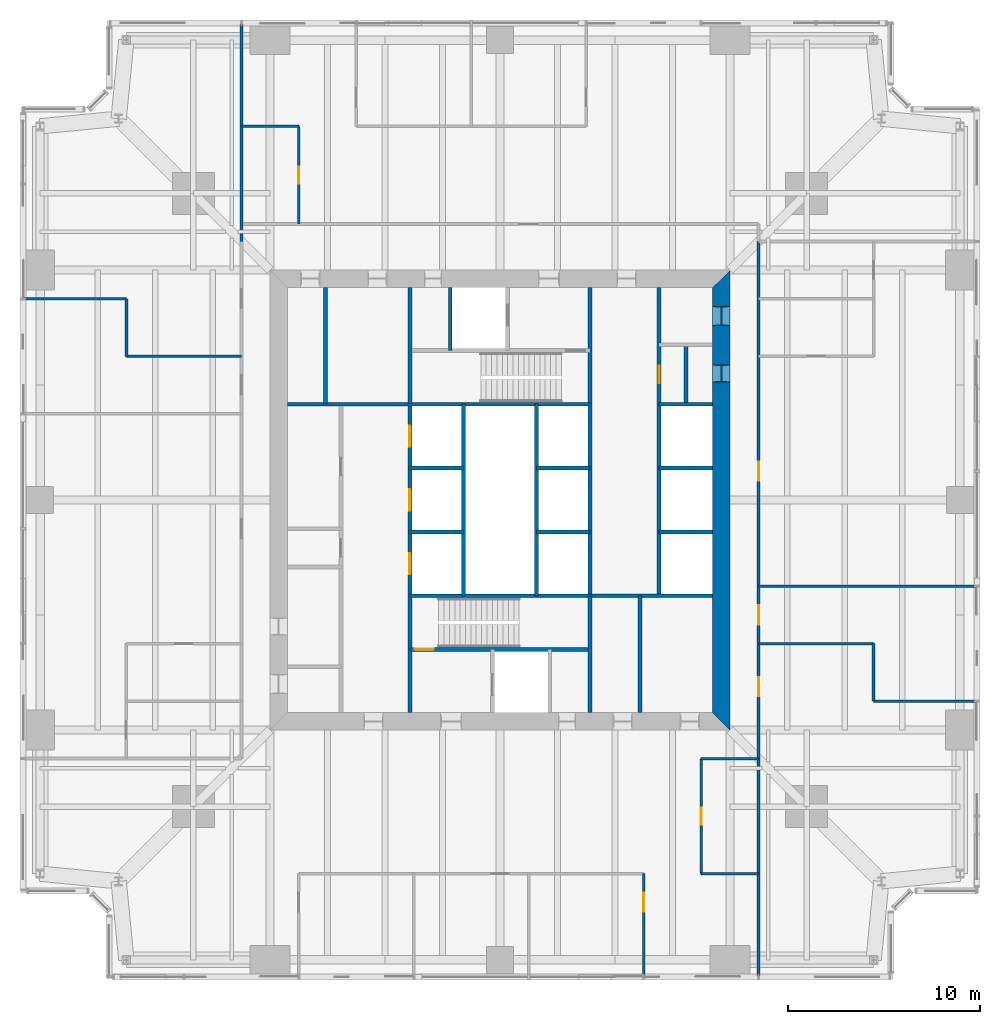
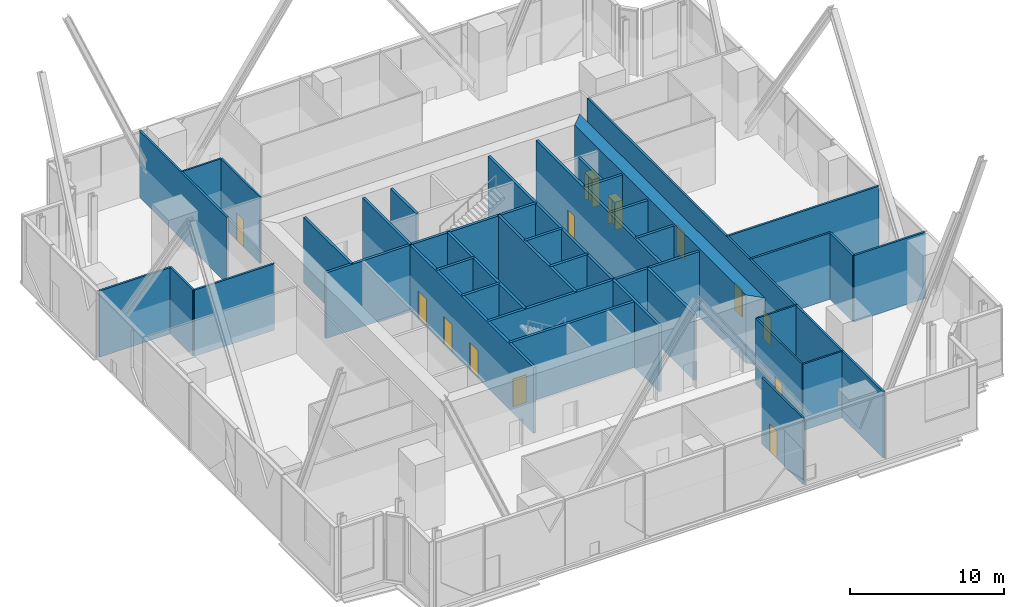
# One storey, part 10 of 13: 38 walls, 13 doors, 13 openings.
"""IFC4 building model written with IfcOpenShell, lengths in metres."""

from ifc_helpers import new_model, si_unit, direction, frame, frame_2d, origin, place, context, subcontext, project, spatial, polyline, rectangle, outline, extrude, material, layer, layer_set, type_object, element, fill, save


model = new_model("IFC4")

# Units and contexts
model_context = context("Model", 3, precision=1e-05, world=origin(), true_north=direction((0.0, 1.0)))
body_context = subcontext(model_context, "Body", "Model", "MODEL_VIEW")
ifc_project = project(units=[si_unit("LENGTHUNIT", "METRE"), si_unit("AREAUNIT", "SQUARE_METRE"), si_unit("VOLUMEUNIT", "CUBIC_METRE"), si_unit("PLANEANGLEUNIT", "RADIAN"), si_unit("MASSUNIT", "GRAM", prefix="KILO")], contexts=[model_context])

# Site, building, storey
site_placement = place(None, origin())
site = spatial("IfcSite", under=ifc_project, at=site_placement, CompositionType="ELEMENT")
building_placement = place(site_placement, origin())
building = spatial("IfcBuilding", under=site, at=building_placement, Name="Fenwick Lantern Interchange", CompositionType="ELEMENT")
storey_placement = place(building_placement, frame((0.0, 0.0, 97.0)))
storey = spatial("IfcBuildingStorey", under=building, at=storey_placement, Name="L22", CompositionType="ELEMENT", Elevation=97.0)

# Walls
ifc_material_1 = material(Name="Concrete masonry ASTM C90 Grade N", Category="masonry")
ifc_layer_1 = layer(ifc_material_1, 0.199951171875)
ifc_layer_set_1 = layer_set([ifc_layer_1], Name="Concrete masonry ASTM C90 Grade N")
wall_type_1 = type_object("IfcWallType", Name="CORE PARTITION 200", PredefinedType="PARTITIONING", material=ifc_layer_set_1)
for number, where, z_axis, x_axis, name in (
    (1, (20.300048828125, 23.333251953125, 0.0), (0.0, 0.0, 1.0), (1.0, 0.0, 0.0), "L22/W/CORES/e1"),
    (2, (20.300048828125, 26.666748046875, 0.0), (0.0, 0.0, 1.0), (1.0, 0.0, 0.0), "L22/W/CORES/e2"),
):
    element("IfcWall", number, at=place(storey_placement, frame(where, z_axis=z_axis, x_axis=x_axis)), inside=storey, type_object=wall_type_1, Name=name, PredefinedType="PARTITIONING", context=body_context, shape_type="SweptSolid", body=[
        extrude(rectangle(XDim=2.800048828125, YDim=0.199951171875, at=frame_2d((1.39990234375, 0.0))), origin(), (0.0, 0.0, 1.0), 5.199951171875),
    ])
wall_1_placement = place(storey_placement, frame((23.10009765625, 20.0, 0.0), z_axis=(0.0, 0.0, 1.0), x_axis=(0.0, 1.0, 0.0)))
element("IfcWall", 3, at=wall_1_placement, inside=storey, type_object=wall_type_1, Name="L22/W/CORES/e3", PredefinedType="PARTITIONING", context=body_context, shape_type="SweptSolid", body=[
    extrude(rectangle(XDim=10.0, YDim=0.199951171875, at=frame_2d((5.0, 0.0))), origin(), (0.0, 0.0, 1.0), 5.199951171875),
])
wall_2_placement = place(storey_placement, frame((32.300048828125, 13.89990234375, 0.0), z_axis=(0.0, 0.0, 1.0), x_axis=(0.0, 1.0, 0.0)))
element("IfcWall", 4, at=wall_2_placement, inside=storey, type_object=wall_type_1, Name="L22/W/CORES/i2", PredefinedType="PARTITIONING", context=body_context, shape_type="SweptSolid", body=[
    extrude(rectangle(XDim=6.10009765625, YDim=0.199951171875, at=frame_2d((3.050048828125, 0.0))), origin(), (0.0, 0.0, 1.0), 5.199951171875),
])

# Wall, opening, door
wall_3_placement = place(storey_placement, frame((33.300048828125, 36.10009765625, 0.0), z_axis=(0.0, 0.0, 1.0), x_axis=(0.0, -1.0, 0.0)))
wall_3 = element("IfcWall", 5, at=wall_3_placement, inside=storey, type_object=wall_type_1, Name="L22/W/COREN/a", PredefinedType="PARTITIONING", context=body_context, shape_type="SweptSolid", body=[
    extrude(rectangle(XDim=16.10009765625, YDim=0.199951171875, at=frame_2d((8.050048828125, 0.0))), origin(), (0.0, 0.0, 1.0), 5.199951171875),
])
opening_1_placement = place(wall_3_placement, frame((4.10009765625, 0.0, 0.0)))
opening_1 = element("IfcOpeningElement", 6, at=opening_1_placement, cuts=wall_3, Name="Opening L22-D018", PredefinedType="OPENING", context=body_context, shape_type="SweptSolid", body=[
    extrude(rectangle(XDim=0.89990234375, YDim=2.199951171875, at=frame_2d((0.449951171875, 1.10009765625))), frame((0.0, 0.10986328125, 0.0), z_axis=(0.0, -1.0, 0.0), x_axis=(1.0, 0.0, 0.0)), (0.0, 0.0, 1.0), 0.219970703125),
])
ifc_material_2 = material(Name="Steel door and frame", Category="steel")
door_type_1 = type_object("IfcDoorType", Name="SERVICE DOOR 900 X 2200", OperationType="SINGLE_SWING_LEFT", PredefinedType="DOOR", material=ifc_material_2)
door_1_placement = place(opening_1_placement, origin())
door_1 = element("IfcDoor", 7, at=door_1_placement, inside=storey, type_object=door_type_1, Name="Service door", OperationType="SINGLE_SWING_LEFT", OverallHeight=2.199951171875, OverallWidth=0.89990234375, PredefinedType="DOOR", context=body_context, shape_type="SweptSolid", body=[
    extrude(rectangle(XDim=0.89990234375, YDim=2.199951171875, at=frame_2d((0.449951171875, 1.10009765625))), frame((0.0, 0.02490234375, 0.0), z_axis=(0.0, -1.0, 0.0), x_axis=(1.0, 0.0, 0.0)), (0.0, 0.0, 1.0), 0.050048828125),
])
fill(opening_1, door_1)

# Walls
for number, where, z_axis, x_axis, name in (
    (8, (36.10009765625, 30.0, 0.0), (0.0, 0.0, 1.0), (-1.0, 0.0, 0.0), "L22/W/COREN/c2"),
    (9, (36.10009765625, 26.666748046875, 0.0), (0.0, 0.0, 1.0), (-1.0, 0.0, 0.0), "L22/W/COREN/d1"),
    (10, (36.10009765625, 23.333251953125, 0.0), (0.0, 0.0, 1.0), (-1.0, 0.0, 0.0), "L22/W/COREN/d2"),
    (11, (29.699951171875, 26.666748046875, 0.0), (0.0, 0.0, 1.0), (-1.0, 0.0, 0.0), "L22/W/COREN/e1"),
    (12, (29.699951171875, 23.333251953125, 0.0), (0.0, 0.0, 1.0), (-1.0, 0.0, 0.0), "L22/W/COREN/e2"),
):
    element("IfcWall", number, at=place(storey_placement, frame(where, z_axis=z_axis, x_axis=x_axis)), inside=storey, type_object=wall_type_1, Name=name, PredefinedType="PARTITIONING", context=body_context, shape_type="SweptSolid", body=[
        extrude(rectangle(XDim=2.800048828125, YDim=0.199951171875, at=frame_2d((1.39990234375, 0.0))), origin(), (0.0, 0.0, 1.0), 5.199951171875),
    ])
wall_4_placement = place(storey_placement, frame((26.89990234375, 30.0, 0.0), z_axis=(0.0, 0.0, 1.0), x_axis=(0.0, -1.0, 0.0)))
element("IfcWall", 13, at=wall_4_placement, inside=storey, type_object=wall_type_1, Name="L22/W/COREN/e3", PredefinedType="PARTITIONING", context=body_context, shape_type="SweptSolid", body=[
    extrude(rectangle(XDim=10.0, YDim=0.199951171875, at=frame_2d((5.0, 0.0))), origin(), (0.0, 0.0, 1.0), 5.199951171875),
])
wall_5_placement = place(storey_placement, frame((22.39990234375, 36.10009765625, 0.0), z_axis=(0.0, 0.0, 1.0), x_axis=(0.0, -1.0, 0.0)))
element("IfcWall", 14, at=wall_5_placement, inside=storey, type_object=wall_type_1, Name="L22/W/COREN/h2", PredefinedType="PARTITIONING", context=body_context, shape_type="SweptSolid", body=[
    extrude(rectangle(XDim=3.300048828125, YDim=0.199951171875, at=frame_2d((1.64990234375, 0.0))), origin(), (0.0, 0.0, 1.0), 5.199951171875),
])
wall_6_placement = place(storey_placement, frame((15.89990234375, 36.10009765625, 0.0), z_axis=(0.0, 0.0, 1.0), x_axis=(0.0, -1.0, 0.0)))
element("IfcWall", 15, at=wall_6_placement, inside=storey, type_object=wall_type_1, Name="L22/W/COREN/i2", PredefinedType="PARTITIONING", context=body_context, shape_type="SweptSolid", body=[
    extrude(rectangle(XDim=6.10009765625, YDim=0.199951171875, at=frame_2d((3.050048828125, 0.0))), origin(), (0.0, 0.0, 1.0), 5.199951171875),
])
wall_7_placement = place(storey_placement, frame((34.699951171875, 33.10009765625, 0.0), z_axis=(0.0, 0.0, 1.0), x_axis=(0.0, -1.0, 0.0)))
element("IfcWall", 16, at=wall_7_placement, inside=storey, type_object=wall_type_1, Name="L22/W/COREN/px", PredefinedType="PARTITIONING", context=body_context, shape_type="SweptSolid", body=[
    extrude(rectangle(XDim=3.10009765625, YDim=0.199951171875, at=frame_2d((1.550048828125, 0.0))), origin(), (0.0, 0.0, 1.0), 5.199951171875),
])

# Wall, openings, doors
ifc_material_3 = material(Name="Concrete f'c 70 MPa", Category="concrete")
ifc_layer_2 = layer(ifc_material_3, 0.89990234375)
ifc_layer_set_2 = layer_set([ifc_layer_2], Name="CORE WALL 900")
wall_type_2 = type_object("IfcWallType", Name="CORE WALL 900", PredefinedType="SHEAR", material=ifc_layer_set_2)
wall_8_placement = place(storey_placement, frame((36.550048828125, 13.89990234375, 0.0), z_axis=(0.0, 0.0, 1.0), x_axis=(0.0, 1.0, 0.0)))
wall_8 = element("IfcWall", 17, at=wall_8_placement, inside=storey, type_object=wall_type_2, Name="L22/CORE/E", PredefinedType="SHEAR", context=body_context, shape_type="SweptSolid", body=[
    extrude(outline(polyline([(-0.89990234375, -0.449951171875), (23.10009765625, -0.449951171875), (22.199951171875, 0.449951171875), (0.0, 0.449951171875), (-0.89990234375, -0.449951171875)])), origin(), (0.0, 0.0, 1.0), 5.39990234375),
])
opening_2_placement = place(wall_8_placement, frame((20.199951171875, 0.0, 0.0)))
opening_2 = element("IfcOpeningElement", 18, at=opening_2_placement, cuts=wall_8, Name="Opening L22-D017", PredefinedType="OPENING", context=body_context, shape_type="SweptSolid", body=[
    extrude(rectangle(XDim=1.0, YDim=2.199951171875, at=frame_2d((0.5, 1.10009765625))), frame((0.0, 0.4599609375, 0.0), z_axis=(0.0, -1.0, 0.0), x_axis=(1.0, 0.0, 0.0)), (0.0, 0.0, 1.0), 0.919921875),
])
opening_3_placement = place(wall_8_placement, frame((17.25, 0.0, 0.0)))
opening_3 = element("IfcOpeningElement", 19, at=opening_3_placement, cuts=wall_8, Name="Opening L22-D019", PredefinedType="OPENING", context=body_context, shape_type="SweptSolid", body=[
    extrude(rectangle(XDim=0.89990234375, YDim=2.199951171875, at=frame_2d((0.449951171875, 1.10009765625))), frame((0.0, 0.4599609375, 0.0), z_axis=(0.0, -1.0, 0.0), x_axis=(1.0, 0.0, 0.0)), (0.0, 0.0, 1.0), 0.919921875),
])
door_2_placement = place(opening_3_placement, origin())
door_2 = element("IfcDoor", 20, at=door_2_placement, inside=storey, type_object=door_type_1, Name="Service door", OperationType="SINGLE_SWING_RIGHT", OverallHeight=2.199951171875, OverallWidth=0.89990234375, PredefinedType="DOOR", context=body_context, shape_type="SweptSolid", body=[
    extrude(rectangle(XDim=0.89990234375, YDim=2.199951171875, at=frame_2d((0.449951171875, 1.10009765625))), frame((0.0, 0.02490234375, 0.0), z_axis=(0.0, -1.0, 0.0), x_axis=(1.0, 0.0, 0.0)), (0.0, 0.0, 1.0), 0.050048828125),
    extrude(outline(polyline([(0.0, 0.0), (0.0400390625, 0.0), (0.0400390625, 2.159912109375), (0.85986328125, 2.159912109375), (0.85986328125, 0.0), (0.89990234375, 0.0), (0.89990234375, 2.199951171875), (0.0, 2.199951171875), (0.0, 0.0)])), frame((0.0, 0.300048828125, 0.0), z_axis=(0.0, -1.0, 0.0), x_axis=(1.0, 0.0, 0.0)), (0.0, 0.0, 1.0), 0.60009765625),
])
fill(opening_3, door_2)
ifc_material_4 = material(Name="Hardwood door and steel frame", Category="steel")
door_type_2 = type_object("IfcDoorType", Name="WC DOOR 1000 X 2200", OperationType="SINGLE_SWING_LEFT", PredefinedType="DOOR", material=ifc_material_4)
door_3_placement = place(opening_2_placement, origin())
door_3 = element("IfcDoor", 21, at=door_3_placement, inside=storey, type_object=door_type_2, Name="Wc door", OperationType="SINGLE_SWING_LEFT", OverallHeight=2.199951171875, OverallWidth=1.0, PredefinedType="DOOR", context=body_context, shape_type="SweptSolid", body=[
    extrude(rectangle(XDim=1.0, YDim=2.199951171875, at=frame_2d((0.5, 1.10009765625))), frame((0.0, 0.02490234375, 0.0), z_axis=(0.0, -1.0, 0.0), x_axis=(1.0, 0.0, 0.0)), (0.0, 0.0, 1.0), 0.050048828125),
    extrude(outline(polyline([(0.0, 0.0), (0.0400390625, 0.0), (0.0400390625, 2.159912109375), (0.9599609375, 2.159912109375), (0.9599609375, 0.0), (1.0, 0.0), (1.0, 2.199951171875), (0.0, 2.199951171875), (0.0, 0.0)])), frame((0.0, 0.300048828125, 0.0), z_axis=(0.0, -1.0, 0.0), x_axis=(1.0, 0.0, 0.0)), (0.0, 0.0, 1.0), 0.60009765625),
])
fill(opening_2, door_3)

ifc_material_5 = material(Name="Gypsum board on steel studs, 1 hour", Category="steel")
ifc_layer_3 = layer(ifc_material_5, 0.14990234375)
ifc_layer_set_3 = layer_set([ifc_layer_3], Name="CORRIDOR WALL 150")
wall_type_3 = type_object("IfcWallType", Name="CORRIDOR WALL 150", PredefinedType="PARTITIONING", material=ifc_layer_set_3)
wall_9_placement = place(storey_placement, frame((38.5, 11.5, 0.0), z_axis=(0.0, 0.0, 1.0), x_axis=(0.0, 1.0, 0.0)))
wall_9 = element("IfcWall", 22, at=wall_9_placement, inside=storey, type_object=wall_type_3, Name="L22/W/OFF/E/CW", PredefinedType="PARTITIONING", context=body_context, shape_type="SweptSolid", body=[
    extrude(rectangle(XDim=27.0, YDim=0.14990234375, at=frame_2d((13.5, 0.0))), origin(), (0.0, 0.0, 1.0), 5.25),
])
opening_4_placement = place(wall_9_placement, frame((3.25, 0.0, 0.0)))
opening_4 = element("IfcOpeningElement", 23, at=opening_4_placement, cuts=wall_9, Name="Opening L22-D024", PredefinedType="OPENING", context=body_context, shape_type="SweptSolid", body=[
    extrude(rectangle(XDim=1.0, YDim=2.199951171875, at=frame_2d((0.5, 1.10009765625))), frame((0.0, 0.0849609375, 0.0), z_axis=(0.0, -1.0, 0.0), x_axis=(1.0, 0.0, 0.0)), (0.0, 0.0, 1.0), 0.169921875),
])
opening_5_placement = place(wall_9_placement, frame((7.0, 0.0, 0.0)))
opening_5 = element("IfcOpeningElement", 24, at=opening_5_placement, cuts=wall_9, Name="Opening L22-D025", PredefinedType="OPENING", context=body_context, shape_type="SweptSolid", body=[
    extrude(rectangle(XDim=1.0, YDim=2.199951171875, at=frame_2d((0.5, 1.10009765625))), frame((0.0, 0.0849609375, 0.0), z_axis=(0.0, -1.0, 0.0), x_axis=(1.0, 0.0, 0.0)), (0.0, 0.0, 1.0), 0.169921875),
])
opening_6_placement = place(wall_9_placement, frame((14.5, 0.0, 0.0)))
opening_6 = element("IfcOpeningElement", 25, at=opening_6_placement, cuts=wall_9, Name="Opening L22-D026", PredefinedType="OPENING", context=body_context, shape_type="SweptSolid", body=[
    extrude(rectangle(XDim=1.0, YDim=2.199951171875, at=frame_2d((0.5, 1.10009765625))), frame((0.0, 0.0849609375, 0.0), z_axis=(0.0, -1.0, 0.0), x_axis=(1.0, 0.0, 0.0)), (0.0, 0.0, 1.0), 0.169921875),
])
door_type_3 = type_object("IfcDoorType", Name="SUITE ENTRANCE DOOR 1000 X 2200", OperationType="SINGLE_SWING_LEFT", PredefinedType="DOOR", material=ifc_material_2)
door_4_placement = place(opening_4_placement, frame((1.0, 0.0, 0.0), z_axis=(0.0, 0.0, 1.0), x_axis=(-1.0, 0.0, 0.0)))
door_4 = element("IfcDoor", 26, at=door_4_placement, inside=storey, type_object=door_type_3, Name="Suite entrance door", OperationType="SINGLE_SWING_LEFT", OverallHeight=2.199951171875, OverallWidth=1.0, PredefinedType="DOOR", context=body_context, shape_type="SweptSolid", body=[
    extrude(rectangle(XDim=1.0, YDim=2.199951171875, at=frame_2d((0.5, 1.10009765625))), frame((0.0, 0.02490234375, 0.0), z_axis=(0.0, -1.0, 0.0), x_axis=(1.0, 0.0, 0.0)), (0.0, 0.0, 1.0), 0.050048828125),
])
fill(opening_4, door_4)
door_5_placement = place(opening_5_placement, frame((1.0, 0.0, 0.0), z_axis=(0.0, 0.0, 1.0), x_axis=(-1.0, 0.0, 0.0)))
door_5 = element("IfcDoor", 27, at=door_5_placement, inside=storey, type_object=door_type_3, Name="Suite entrance door", OperationType="SINGLE_SWING_RIGHT", OverallHeight=2.199951171875, OverallWidth=1.0, PredefinedType="DOOR", context=body_context, shape_type="SweptSolid", body=[
    extrude(rectangle(XDim=1.0, YDim=2.199951171875, at=frame_2d((0.5, 1.10009765625))), frame((0.0, 0.02490234375, 0.0), z_axis=(0.0, -1.0, 0.0), x_axis=(1.0, 0.0, 0.0)), (0.0, 0.0, 1.0), 0.050048828125),
])
fill(opening_5, door_5)
door_6_placement = place(opening_6_placement, frame((1.0, 0.0, 0.0), z_axis=(0.0, 0.0, 1.0), x_axis=(-1.0, 0.0, 0.0)))
door_6 = element("IfcDoor", 28, at=door_6_placement, inside=storey, type_object=door_type_3, Name="Suite entrance door", OperationType="SINGLE_SWING_RIGHT", OverallHeight=2.199951171875, OverallWidth=1.0, PredefinedType="DOOR", context=body_context, shape_type="SweptSolid", body=[
    extrude(rectangle(XDim=1.0, YDim=2.199951171875, at=frame_2d((0.5, 1.10009765625))), frame((0.0, 0.02490234375, 0.0), z_axis=(0.0, -1.0, 0.0), x_axis=(1.0, 0.0, 0.0)), (0.0, 0.0, 1.0), 0.050048828125),
])
fill(opening_6, door_6)

# Wall, opening, door
ifc_material_6 = material(Name="Gypsum board on steel studs, acoustic", Category="steel")
ifc_layer_4 = layer(ifc_material_6, 0.125)
ifc_layer_set_4 = layer_set([ifc_layer_4], Name="OFFICE PARTITION 125")
wall_type_4 = type_object("IfcWallType", Name="OFFICE PARTITION 125", PredefinedType="PARTITIONING", material=ifc_layer_set_4)
wall_10_placement = place(storey_placement, frame((32.5, 0.14990234375, 0.0), z_axis=(0.0, 0.0, 1.0), x_axis=(0.0, 1.0, 0.0)))
wall_10 = element("IfcWall", 29, at=wall_10_placement, inside=storey, type_object=wall_type_4, Name="L22/W/OFF/S/X325-1", PredefinedType="PARTITIONING", context=body_context, shape_type="SweptSolid", body=[
    extrude(rectangle(XDim=5.35009765625, YDim=0.125, at=frame_2d((2.675048828125, 0.0))), origin(), (0.0, 0.0, 1.0), 5.25),
])
opening_7_placement = place(wall_10_placement, frame((3.35009765625, 0.0, 0.0)))
opening_7 = element("IfcOpeningElement", 30, at=opening_7_placement, cuts=wall_10, Name="Opening L22-D022", PredefinedType="OPENING", context=body_context, shape_type="SweptSolid", body=[
    extrude(rectangle(XDim=1.0, YDim=2.199951171875, at=frame_2d((0.5, 1.10009765625))), frame((0.0, 0.072509765625, 0.0), z_axis=(0.0, -1.0, 0.0), x_axis=(1.0, 0.0, 0.0)), (0.0, 0.0, 1.0), 0.14501953125),
])
door_type_4 = type_object("IfcDoorType", Name="MEETING ROOM DOOR 1000 X 2200", OperationType="SINGLE_SWING_LEFT", PredefinedType="DOOR", material=ifc_material_4)
door_7_placement = place(opening_7_placement, origin())
door_7 = element("IfcDoor", 31, at=door_7_placement, inside=storey, type_object=door_type_4, Name="Meeting room door", OperationType="SINGLE_SWING_RIGHT", OverallHeight=2.199951171875, OverallWidth=1.0, PredefinedType="DOOR", context=body_context, shape_type="SweptSolid", body=[
    extrude(rectangle(XDim=1.0, YDim=2.199951171875, at=frame_2d((0.5, 1.10009765625))), frame((0.0, 0.02490234375, 0.0), z_axis=(0.0, -1.0, 0.0), x_axis=(1.0, 0.0, 0.0)), (0.0, 0.0, 1.0), 0.050048828125),
])
fill(opening_7, door_7)

wall_11_placement = place(storey_placement, frame((35.5, 5.5, 0.0), z_axis=(0.0, 0.0, 1.0), x_axis=(0.0, 1.0, 0.0)))
wall_11 = element("IfcWall", 32, at=wall_11_placement, inside=storey, type_object=wall_type_4, Name="L22/W/OFF/S/X355-1", PredefinedType="PARTITIONING", context=body_context, shape_type="SweptSolid", body=[
    extrude(rectangle(XDim=6.0, YDim=0.125, at=frame_2d((3.0, 0.0))), origin(), (0.0, 0.0, 1.0), 5.25),
])
opening_8_placement = place(wall_11_placement, frame((2.550048828125, 0.0, 0.0)))
opening_8 = element("IfcOpeningElement", 33, at=opening_8_placement, cuts=wall_11, Name="Opening L22-D023", PredefinedType="OPENING", context=body_context, shape_type="SweptSolid", body=[
    extrude(rectangle(XDim=0.89990234375, YDim=2.199951171875, at=frame_2d((0.449951171875, 1.10009765625))), frame((0.0, 0.072509765625, 0.0), z_axis=(0.0, -1.0, 0.0), x_axis=(1.0, 0.0, 0.0)), (0.0, 0.0, 1.0), 0.14501953125),
])
door_type_5 = type_object("IfcDoorType", Name="OFFICE DOOR 900 X 2200", OperationType="SINGLE_SWING_LEFT", PredefinedType="DOOR", material=ifc_material_4)
door_8_placement = place(opening_8_placement, frame((0.89990234375, 0.0, 0.0), z_axis=(0.0, 0.0, 1.0), x_axis=(-1.0, 0.0, 0.0)))
door_8 = element("IfcDoor", 34, at=door_8_placement, inside=storey, type_object=door_type_5, Name="Office door", OperationType="SINGLE_SWING_RIGHT", OverallHeight=2.199951171875, OverallWidth=0.89990234375, PredefinedType="DOOR", context=body_context, shape_type="SweptSolid", body=[
    extrude(rectangle(XDim=0.89990234375, YDim=2.199951171875, at=frame_2d((0.449951171875, 1.10009765625))), frame((0.0, 0.02490234375, 0.0), z_axis=(0.0, -1.0, 0.0), x_axis=(1.0, 0.0, 0.0)), (0.0, 0.0, 1.0), 0.050048828125),
])
fill(opening_8, door_8)

# Walls
for number, where, z_axis, x_axis, name in (
    (35, (35.5, 5.5, 0.0), (0.0, 0.0, 1.0), (1.0, 0.0, 0.0), "L22/W/OFF/S/Y55-2"),
    (36, (35.5, 11.5, 0.0), (0.0, 0.0, 1.0), (1.0, 0.0, 0.0), "L22/W/OFF/S/CWS1"),
):
    element("IfcWall", number, at=place(storey_placement, frame(where, z_axis=z_axis, x_axis=x_axis)), inside=storey, type_object=wall_type_4, Name=name, PredefinedType="PARTITIONING", context=body_context, shape_type="SweptSolid", body=[
        extrude(rectangle(XDim=3.0, YDim=0.125, at=frame_2d((1.5, 0.0))), origin(), (0.0, 0.0, 1.0), 5.25),
    ])

# Wall, opening, door
wall_12_placement = place(storey_placement, frame((14.5, 44.5, 0.0), z_axis=(0.0, 0.0, 1.0), x_axis=(0.0, -1.0, 0.0)))
wall_12 = element("IfcWall", 37, at=wall_12_placement, inside=storey, type_object=wall_type_4, Name="L22/W/OFF/N/X355-1", PredefinedType="PARTITIONING", context=body_context, shape_type="SweptSolid", body=[
    extrude(rectangle(XDim=5.10009765625, YDim=0.125, at=frame_2d((2.550048828125, 0.0))), origin(), (0.0, 0.0, 1.0), 5.25),
])
opening_9_placement = place(wall_12_placement, frame((2.10009765625, 0.0, 0.0)))
opening_9 = element("IfcOpeningElement", 38, at=opening_9_placement, cuts=wall_12, Name="Opening L22-D032", PredefinedType="OPENING", context=body_context, shape_type="SweptSolid", body=[
    extrude(rectangle(XDim=0.89990234375, YDim=2.199951171875, at=frame_2d((0.449951171875, 1.10009765625))), frame((0.0, 0.072509765625, 0.0), z_axis=(0.0, -1.0, 0.0), x_axis=(1.0, 0.0, 0.0)), (0.0, 0.0, 1.0), 0.14501953125),
])
door_9_placement = place(opening_9_placement, frame((0.89990234375, 0.0, 0.0), z_axis=(0.0, 0.0, 1.0), x_axis=(-1.0, 0.0, 0.0)))
door_9 = element("IfcDoor", 39, at=door_9_placement, inside=storey, type_object=door_type_5, Name="Office door", OperationType="SINGLE_SWING_RIGHT", OverallHeight=2.199951171875, OverallWidth=0.89990234375, PredefinedType="DOOR", context=body_context, shape_type="SweptSolid", body=[
    extrude(rectangle(XDim=0.89990234375, YDim=2.199951171875, at=frame_2d((0.449951171875, 1.10009765625))), frame((0.0, 0.02490234375, 0.0), z_axis=(0.0, -1.0, 0.0), x_axis=(1.0, 0.0, 0.0)), (0.0, 0.0, 1.0), 0.050048828125),
])
fill(opening_9, door_9)

# Wall
wall_13_placement = place(storey_placement, frame((14.5, 44.5, 0.0), z_axis=(0.0, 0.0, 1.0), x_axis=(-1.0, 0.0, 0.0)))
element("IfcWall", 40, at=wall_13_placement, inside=storey, type_object=wall_type_4, Name="L22/W/OFF/N/Y55-2", PredefinedType="PARTITIONING", context=body_context, shape_type="SweptSolid", body=[
    extrude(rectangle(XDim=3.0, YDim=0.125, at=frame_2d((1.5, 0.0))), origin(), (0.0, 0.0, 1.0), 5.25),
])

# Wall, openings, doors
ifc_material_7 = material(Name="Concrete f'c 45 MPa", Category="concrete")
ifc_layer_5 = layer(ifc_material_7, 0.199951171875)
ifc_layer_set_5 = layer_set([ifc_layer_5], Name="STAIR CORE WALL 200")
wall_type_5 = type_object("IfcWallType", Name="STAIR CORE WALL 200", PredefinedType="SOLIDWALL", material=ifc_layer_set_5)
wall_14_placement = place(storey_placement, frame((20.300048828125, 13.89990234375, 0.0), z_axis=(0.0, 0.0, 1.0), x_axis=(0.0, 1.0, 0.0)))
wall_14 = element("IfcWall", 41, at=wall_14_placement, inside=storey, type_object=wall_type_5, Name="L22/W/CORES/b", PredefinedType="SOLIDWALL", context=body_context, shape_type="SweptSolid", body=[
    extrude(rectangle(XDim=16.10009765625, YDim=0.199951171875, at=frame_2d((8.050048828125, 0.0))), origin(), (0.0, 0.0, 1.0), 5.199951171875),
])
opening_10_placement = place(wall_14_placement, frame((7.216552734375, 0.0, 0.0)))
opening_10 = element("IfcOpeningElement", 42, at=opening_10_placement, cuts=wall_14, Name="Opening LD-W2-1", PredefinedType="OPENING", context=body_context, shape_type="SweptSolid", body=[
    extrude(rectangle(XDim=1.10009765625, YDim=2.199951171875, at=frame_2d((0.550048828125, 1.10009765625))), frame((0.0, 0.10986328125, 0.0), z_axis=(0.0, -1.0, 0.0), x_axis=(1.0, 0.0, 0.0)), (0.0, 0.0, 1.0), 0.219970703125),
])
opening_11_placement = place(wall_14_placement, frame((10.550048828125, 0.0, 0.0)))
opening_11 = element("IfcOpeningElement", 43, at=opening_11_placement, cuts=wall_14, Name="Opening LD-W2-2", PredefinedType="OPENING", context=body_context, shape_type="SweptSolid", body=[
    extrude(rectangle(XDim=1.10009765625, YDim=2.199951171875, at=frame_2d((0.550048828125, 1.10009765625))), frame((0.0, 0.10986328125, 0.0), z_axis=(0.0, -1.0, 0.0), x_axis=(1.0, 0.0, 0.0)), (0.0, 0.0, 1.0), 0.219970703125),
])
opening_12_placement = place(wall_14_placement, frame((13.88330078125, 0.0, 0.0)))
opening_12 = element("IfcOpeningElement", 44, at=opening_12_placement, cuts=wall_14, Name="Opening LD-W2-3", PredefinedType="OPENING", context=body_context, shape_type="SweptSolid", body=[
    extrude(rectangle(XDim=1.10009765625, YDim=2.199951171875, at=frame_2d((0.550048828125, 1.10009765625))), frame((0.0, 0.10986328125, 0.0), z_axis=(0.0, -1.0, 0.0), x_axis=(1.0, 0.0, 0.0)), (0.0, 0.0, 1.0), 0.219970703125),
])
door_type_6 = type_object("IfcDoorType", Name="LIFT LANDING DOOR 1100 X 2200", OperationType="DOUBLE_DOOR_SLIDING", PredefinedType="DOOR", material=ifc_material_2)
door_10_placement = place(opening_10_placement, origin())
door_10 = element("IfcDoor", 45, at=door_10_placement, inside=storey, type_object=door_type_6, Name="Lift landing door W2-1", OperationType="DOUBLE_DOOR_SLIDING", OverallHeight=2.199951171875, OverallWidth=1.10009765625, PredefinedType="DOOR", context=body_context, shape_type="SweptSolid", body=[
    extrude(rectangle(XDim=1.10009765625, YDim=2.199951171875, at=frame_2d((0.550048828125, 1.10009765625))), frame((0.0, 0.02490234375, 0.0), z_axis=(0.0, -1.0, 0.0), x_axis=(1.0, 0.0, 0.0)), (0.0, 0.0, 1.0), 0.050048828125),
])
fill(opening_10, door_10)
door_11_placement = place(opening_11_placement, origin())
door_11 = element("IfcDoor", 46, at=door_11_placement, inside=storey, type_object=door_type_6, Name="Lift landing door W2-2", OperationType="DOUBLE_DOOR_SLIDING", OverallHeight=2.199951171875, OverallWidth=1.10009765625, PredefinedType="DOOR", context=body_context, shape_type="SweptSolid", body=[
    extrude(rectangle(XDim=1.10009765625, YDim=2.199951171875, at=frame_2d((0.550048828125, 1.10009765625))), frame((0.0, 0.02490234375, 0.0), z_axis=(0.0, -1.0, 0.0), x_axis=(1.0, 0.0, 0.0)), (0.0, 0.0, 1.0), 0.050048828125),
])
fill(opening_11, door_11)
door_12_placement = place(opening_12_placement, origin())
door_12 = element("IfcDoor", 47, at=door_12_placement, inside=storey, type_object=door_type_6, Name="Lift landing door W2-3", OperationType="DOUBLE_DOOR_SLIDING", OverallHeight=2.199951171875, OverallWidth=1.10009765625, PredefinedType="DOOR", context=body_context, shape_type="SweptSolid", body=[
    extrude(rectangle(XDim=1.10009765625, YDim=2.199951171875, at=frame_2d((0.550048828125, 1.10009765625))), frame((0.0, 0.02490234375, 0.0), z_axis=(0.0, -1.0, 0.0), x_axis=(1.0, 0.0, 0.0)), (0.0, 0.0, 1.0), 0.050048828125),
])
fill(opening_12, door_12)

# Wall, opening, door
wall_15_placement = place(storey_placement, frame((20.300048828125, 17.199951171875, 0.0), z_axis=(0.0, 0.0, 1.0), x_axis=(1.0, 0.0, 0.0)))
wall_15 = element("IfcWall", 48, at=wall_15_placement, inside=storey, type_object=wall_type_5, Name="L22/W/CORES/g1", PredefinedType="SOLIDWALL", context=body_context, shape_type="SweptSolid", body=[
    extrude(rectangle(XDim=9.39990234375, YDim=0.199951171875, at=frame_2d((4.699951171875, 0.0))), origin(), (0.0, 0.0, 1.0), 5.199951171875),
])
opening_13_placement = place(wall_15_placement, frame((0.25, 0.0, 0.0)))
opening_13 = element("IfcOpeningElement", 49, at=opening_13_placement, cuts=wall_15, Name="Opening L22-D003", PredefinedType="OPENING", context=body_context, shape_type="SweptSolid", body=[
    extrude(rectangle(XDim=1.0, YDim=2.199951171875, at=frame_2d((0.5, 1.10009765625))), frame((0.0, 0.10986328125, 0.0), z_axis=(0.0, -1.0, 0.0), x_axis=(1.0, 0.0, 0.0)), (0.0, 0.0, 1.0), 0.219970703125),
])
door_type_7 = type_object("IfcDoorType", Name="STAIR DOOR 1000 X 2200", OperationType="SINGLE_SWING_LEFT", PredefinedType="DOOR", material=ifc_material_2)
door_13_placement = place(opening_13_placement, origin())
door_13 = element("IfcDoor", 50, at=door_13_placement, inside=storey, type_object=door_type_7, Name="Stair door", OperationType="SINGLE_SWING_LEFT", OverallHeight=2.199951171875, OverallWidth=1.0, PredefinedType="DOOR", context=body_context, shape_type="SweptSolid", body=[
    extrude(rectangle(XDim=1.0, YDim=2.199951171875, at=frame_2d((0.5, 1.10009765625))), frame((0.0, 0.02490234375, 0.0), z_axis=(0.0, -1.0, 0.0), x_axis=(1.0, 0.0, 0.0)), (0.0, 0.0, 1.0), 0.050048828125),
])
fill(opening_13, door_13)

# Walls
wall_16_placement = place(storey_placement, frame((20.300048828125, 20.0, 0.0), z_axis=(0.0, 0.0, 1.0), x_axis=(1.0, 0.0, 0.0)))
element("IfcWall", 51, at=wall_16_placement, inside=storey, type_object=wall_type_5, Name="L22/W/CORES/g2", PredefinedType="SOLIDWALL", context=body_context, shape_type="SweptSolid", body=[
    extrude(rectangle(XDim=15.800048828125, YDim=0.199951171875, at=frame_2d((7.89990234375, 0.0))), origin(), (0.0, 0.0, 1.0), 5.199951171875),
])
wall_17_placement = place(storey_placement, frame((29.699951171875, 13.89990234375, 0.0), z_axis=(0.0, 0.0, 1.0), x_axis=(0.0, 1.0, 0.0)))
element("IfcWall", 52, at=wall_17_placement, inside=storey, type_object=wall_type_5, Name="L22/W/CORES/i1", PredefinedType="SOLIDWALL", context=body_context, shape_type="SweptSolid", body=[
    extrude(rectangle(XDim=6.10009765625, YDim=0.199951171875, at=frame_2d((3.050048828125, 0.0))), origin(), (0.0, 0.0, 1.0), 5.199951171875),
])
wall_18_placement = place(storey_placement, frame((29.699951171875, 36.10009765625, 0.0), z_axis=(0.0, 0.0, 1.0), x_axis=(0.0, -1.0, 0.0)))
element("IfcWall", 53, at=wall_18_placement, inside=storey, type_object=wall_type_5, Name="L22/W/COREN/b", PredefinedType="SOLIDWALL", context=body_context, shape_type="SweptSolid", body=[
    extrude(rectangle(XDim=16.10009765625, YDim=0.199951171875, at=frame_2d((8.050048828125, 0.0))), origin(), (0.0, 0.0, 1.0), 5.199951171875),
])
wall_19_placement = place(storey_placement, frame((29.699951171875, 30.0, 0.0), z_axis=(0.0, 0.0, 1.0), x_axis=(-1.0, 0.0, 0.0)))
element("IfcWall", 54, at=wall_19_placement, inside=storey, type_object=wall_type_5, Name="L22/W/COREN/g2", PredefinedType="SOLIDWALL", context=body_context, shape_type="SweptSolid", body=[
    extrude(rectangle(XDim=15.800048828125, YDim=0.199951171875, at=frame_2d((7.89990234375, 0.0))), origin(), (0.0, 0.0, 1.0), 5.199951171875),
])
wall_20_placement = place(storey_placement, frame((20.300048828125, 36.10009765625, 0.0), z_axis=(0.0, 0.0, 1.0), x_axis=(0.0, -1.0, 0.0)))
element("IfcWall", 55, at=wall_20_placement, inside=storey, type_object=wall_type_5, Name="L22/W/COREN/i1", PredefinedType="SOLIDWALL", context=body_context, shape_type="SweptSolid", body=[
    extrude(rectangle(XDim=6.10009765625, YDim=0.199951171875, at=frame_2d((3.050048828125, 0.0))), origin(), (0.0, 0.0, 1.0), 5.199951171875),
])
ifc_material_8 = material(Name="Gypsum board on steel studs, 1 hour acoustic", Category="steel")
ifc_layer_6 = layer(ifc_material_8, 0.14990234375)
ifc_layer_set_6 = layer_set([ifc_layer_6], Name="TENANT WALL 150")
wall_type_6 = type_object("IfcWallType", Name="TENANT WALL 150", PredefinedType="PARTITIONING", material=ifc_layer_set_6)
wall_21_placement = place(storey_placement, frame((38.5, 0.14990234375, 0.0), z_axis=(0.0, 0.0, 1.0), x_axis=(0.0, 1.0, 0.0)))
element("IfcWall", 56, at=wall_21_placement, inside=storey, type_object=wall_type_6, Name="L22/W/OFF/E/BACK", PredefinedType="PARTITIONING", context=body_context, shape_type="SweptSolid", body=[
    extrude(rectangle(XDim=11.35009765625, YDim=0.14990234375, at=frame_2d((5.675048828125, 0.0))), origin(), (0.0, 0.0, 1.0), 5.25),
])
wall_22_placement = place(storey_placement, frame((49.85009765625, 14.5, 0.0), z_axis=(0.0, 0.0, 1.0), x_axis=(-1.0, 0.0, 0.0)))
element("IfcWall", 57, at=wall_22_placement, inside=storey, type_object=wall_type_6, Name="L22/W/OFF/E/X145-1", PredefinedType="PARTITIONING", context=body_context, shape_type="SweptSolid", body=[
    extrude(rectangle(XDim=5.35009765625, YDim=0.14990234375, at=frame_2d((2.675048828125, 0.0))), origin(), (0.0, 0.0, 1.0), 5.25),
])
wall_23_placement = place(storey_placement, frame((44.5, 17.5, 0.0), z_axis=(0.0, 0.0, 1.0), x_axis=(-1.0, 0.0, 0.0)))
element("IfcWall", 58, at=wall_23_placement, inside=storey, type_object=wall_type_6, Name="L22/W/OFF/E/X175-1", PredefinedType="PARTITIONING", context=body_context, shape_type="SweptSolid", body=[
    extrude(rectangle(XDim=6.0, YDim=0.14990234375, at=frame_2d((3.0, 0.0))), origin(), (0.0, 0.0, 1.0), 5.25),
])
wall_24_placement = place(storey_placement, frame((49.85009765625, 20.5, 0.0), z_axis=(0.0, 0.0, 1.0), x_axis=(-1.0, 0.0, 0.0)))
element("IfcWall", 59, at=wall_24_placement, inside=storey, type_object=wall_type_6, Name="L22/W/OFF/E/X205-1", PredefinedType="PARTITIONING", context=body_context, shape_type="SweptSolid", body=[
    extrude(rectangle(XDim=11.35009765625, YDim=0.14990234375, at=frame_2d((5.675048828125, 0.0))), origin(), (0.0, 0.0, 1.0), 5.25),
])
wall_25_placement = place(storey_placement, frame((44.5, 14.5, 0.0), z_axis=(0.0, 0.0, 1.0), x_axis=(0.0, 1.0, 0.0)))
element("IfcWall", 60, at=wall_25_placement, inside=storey, type_object=wall_type_6, Name="L22/W/OFF/E/Y55-1", PredefinedType="PARTITIONING", context=body_context, shape_type="SweptSolid", body=[
    extrude(rectangle(XDim=3.0, YDim=0.14990234375, at=frame_2d((1.5, 0.0))), origin(), (0.0, 0.0, 1.0), 5.25),
])
wall_26_placement = place(storey_placement, frame((11.5, 49.85009765625, 0.0), z_axis=(0.0, 0.0, 1.0), x_axis=(0.0, -1.0, 0.0)))
element("IfcWall", 61, at=wall_26_placement, inside=storey, type_object=wall_type_6, Name="L22/W/OFF/W/BACK", PredefinedType="PARTITIONING", context=body_context, shape_type="SweptSolid", body=[
    extrude(rectangle(XDim=11.35009765625, YDim=0.14990234375, at=frame_2d((5.675048828125, 0.0))), origin(), (0.0, 0.0, 1.0), 5.25),
])
wall_27_placement = place(storey_placement, frame((0.14990234375, 35.5, 0.0), z_axis=(0.0, 0.0, 1.0), x_axis=(1.0, 0.0, 0.0)))
element("IfcWall", 62, at=wall_27_placement, inside=storey, type_object=wall_type_6, Name="L22/W/OFF/W/X145-1", PredefinedType="PARTITIONING", context=body_context, shape_type="SweptSolid", body=[
    extrude(rectangle(XDim=5.35009765625, YDim=0.14990234375, at=frame_2d((2.675048828125, 0.0))), origin(), (0.0, 0.0, 1.0), 5.25),
])
wall_28_placement = place(storey_placement, frame((5.5, 32.5, 0.0), z_axis=(0.0, 0.0, 1.0), x_axis=(1.0, 0.0, 0.0)))
element("IfcWall", 63, at=wall_28_placement, inside=storey, type_object=wall_type_6, Name="L22/W/OFF/W/X175-1", PredefinedType="PARTITIONING", context=body_context, shape_type="SweptSolid", body=[
    extrude(rectangle(XDim=6.0, YDim=0.14990234375, at=frame_2d((3.0, 0.0))), origin(), (0.0, 0.0, 1.0), 5.25),
])
wall_29_placement = place(storey_placement, frame((5.5, 35.5, 0.0), z_axis=(0.0, 0.0, 1.0), x_axis=(0.0, -1.0, 0.0)))
element("IfcWall", 64, at=wall_29_placement, inside=storey, type_object=wall_type_6, Name="L22/W/OFF/W/Y55-1", PredefinedType="PARTITIONING", context=body_context, shape_type="SweptSolid", body=[
    extrude(rectangle(XDim=3.0, YDim=0.14990234375, at=frame_2d((1.5, 0.0))), origin(), (0.0, 0.0, 1.0), 5.25),
])

save(model, "model.ifc")
